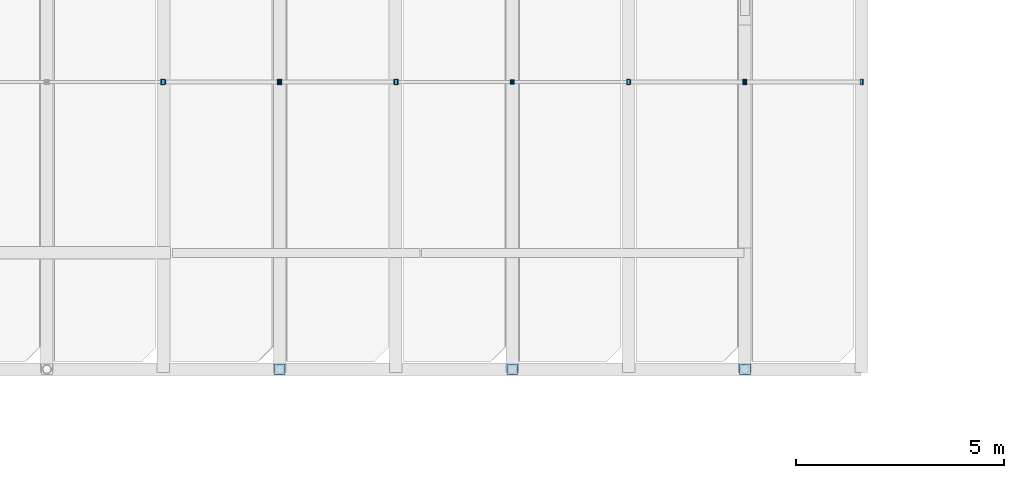
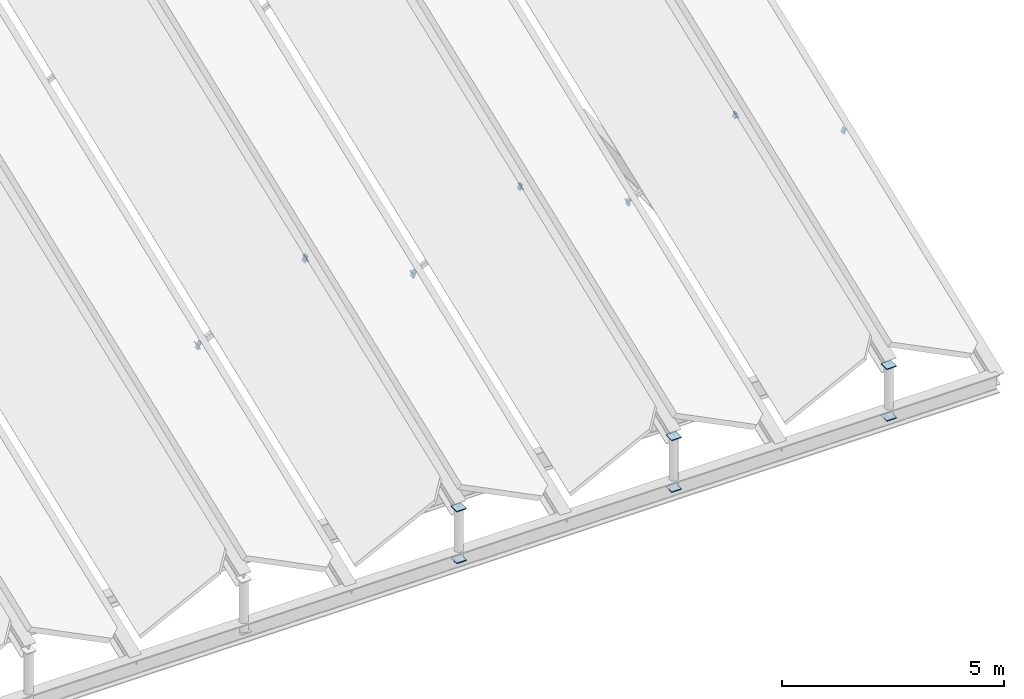
# One storey, part 32 of 49: 19 plates.
"""IFC4 building model written with IfcOpenShell, lengths in metres."""

from ifc_helpers import new_model, si_unit, direction, frame, origin, origin_2d, place, context, subcontext, project, spatial, rectangle, extrude, material, material_profile, profile_set, type_object, element, save


model = new_model("IFC4")

# Units and contexts
model_context = context("Model", 3, precision=1e-05, world=origin(), true_north=direction((0.0, 1.0)))
body_context = subcontext(model_context, "Body", "Model", "MODEL_VIEW")
ifc_project = project(units=[si_unit("LENGTHUNIT", "METRE"), si_unit("AREAUNIT", "SQUARE_METRE"), si_unit("VOLUMEUNIT", "CUBIC_METRE"), si_unit("PLANEANGLEUNIT", "RADIAN"), si_unit("MASSUNIT", "GRAM", prefix="KILO")], contexts=[model_context])

# Site, building, storey
site_placement = place(None, origin())
site = spatial("IfcSite", under=ifc_project, at=site_placement, CompositionType="ELEMENT")
building_placement = place(site_placement, origin())
building = spatial("IfcBuilding", under=site, at=building_placement, Name="Vinh Khe Railworks Police Headquarters", CompositionType="ELEMENT")
storey_placement = place(building_placement, frame((0.0, 0.0, 17.10009765625)))
storey = spatial("IfcBuildingStorey", under=building, at=storey_placement, Name="L04", CompositionType="ELEMENT", Elevation=17.10009765625)

# Plates
ifc_material = material(Name="Steel S355JR", Category="steel")
ifc_material_profile_1 = material_profile(ifc_material, rectangle(XDim=0.1201171875, YDim=0.159912109375, at=origin_2d()), Name="PL 120x160")
ifc_profile_set_1 = profile_set([ifc_material_profile_1], Name="Steel S355JR")
plate_type_1 = type_object("IfcPlateType", Name="Steel End-Cap Plate 120x160x24", PredefinedType="SHEET", material=ifc_profile_set_1)
for number, where, z_axis, x_axis, name in (
    (1, (51.60009765625, 29.31396484375, 2.499755859375), (-0.894427191, 0.0, -0.4472135955), (0.0, -1.0, 0.0), "End-Cap Gusset Plate PLT-EP-0512"),
    (2, (54.39990234375, 29.31396484375, 3.899658203125), (-0.894427191, 0.0, 0.4472135955), (0.0, -1.0, 0.0), "End-Cap Gusset Plate PLT-EP-0530"),
    (3, (54.39990234375, 29.31396484375, 3.899658203125), (0.894427191, 0.0, 0.4472135955), (0.0, 1.0, 0.0), "End-Cap Gusset Plate PLT-EP-0531"),
    (4, (57.199951171875, 29.31396484375, 2.499755859375), (0.894427191, 0.0, -0.4472135955), (0.0, 1.0, 0.0), "End-Cap Gusset Plate PLT-EP-0543"),
):
    element("IfcPlate", number, at=place(storey_placement, frame(where, z_axis=z_axis, x_axis=x_axis)), inside=storey, type_object=plate_type_1, Name=name, PredefinedType="SHEET", context=body_context, shape_type="SweptSolid", body=[
        extrude(rectangle(XDim=0.1201171875, YDim=0.159912109375, at=origin_2d()), origin(), (0.0, 0.0, 1.0), 0.02392578125),
    ])
ifc_material_profile_2 = material_profile(ifc_material, rectangle(XDim=0.1201171875, YDim=0.199951171875, at=origin_2d()), Name="PL 120x200")
ifc_profile_set_2 = profile_set([ifc_material_profile_2], Name="Steel S355JR")
plate_type_2 = type_object("IfcPlateType", Name="Steel End-Cap Plate 120x200x24", PredefinedType="SHEET", material=ifc_profile_set_2)
plate_1_placement = place(storey_placement, frame((46.0, 29.31396484375, 2.479736328125), z_axis=(0.894427191, 0.0, -0.4472135955), x_axis=(0.0, 1.0, 0.0)))
element("IfcPlate", 5, at=plate_1_placement, inside=storey, type_object=plate_type_2, Name="End-Cap Gusset Plate PLT-EP-0442", PredefinedType="SHEET", context=body_context, shape_type="SweptSolid", body=[
    extrude(rectangle(XDim=0.1201171875, YDim=0.199951171875, at=origin_2d()), origin(), (0.0, 0.0, 1.0), 0.02392578125),
])
ifc_material_profile_3 = material_profile(ifc_material, rectangle(XDim=0.139892578125, YDim=0.139892578125, at=origin_2d()), Name="PL 140x140")
ifc_profile_set_3 = profile_set([ifc_material_profile_3], Name="Steel S355JR")
plate_type_3 = type_object("IfcPlateType", Name="Steel End-Cap Plate 140x140x24", PredefinedType="SHEET", material=ifc_profile_set_3)
for number, where, z_axis, x_axis, name in (
    (6, (57.199951171875, 29.31396484375, 2.509765625), (-0.894427191, 0.0, -0.4472135955), (0.0, -1.0, 0.0), "End-Cap Gusset Plate PLT-EP-0542"),
    (7, (60.0, 29.31396484375, 3.90966796875), (-0.894427191, 0.0, 0.4472135955), (0.0, -1.0, 0.0), "End-Cap Gusset Plate PLT-EP-0560"),
    (8, (60.0, 29.31396484375, 3.90966796875), (0.894427191, 0.0, 0.4472135955), (0.0, 1.0, 0.0), "End-Cap Gusset Plate PLT-EP-0561"),
    (9, (62.800048828125, 29.31396484375, 2.509765625), (0.894427191, 0.0, -0.4472135955), (0.0, 1.0, 0.0), "End-Cap Gusset Plate PLT-EP-0597"),
):
    element("IfcPlate", number, at=place(storey_placement, frame(where, z_axis=z_axis, x_axis=x_axis)), inside=storey, type_object=plate_type_3, Name=name, PredefinedType="SHEET", context=body_context, shape_type="SweptSolid", body=[
        extrude(rectangle(XDim=0.139892578125, YDim=0.139892578125, at=origin_2d()), origin(), (0.0, 0.0, 1.0), 0.02392578125),
    ])
ifc_material_profile_4 = material_profile(ifc_material, rectangle(XDim=0.139892578125, YDim=0.18994140625, at=origin_2d()), Name="PL 140x190")
ifc_profile_set_4 = profile_set([ifc_material_profile_4], Name="Steel S355JR")
plate_type_4 = type_object("IfcPlateType", Name="Steel End-Cap Plate 140x190x24", PredefinedType="SHEET", material=ifc_profile_set_4)
for number, where, z_axis, x_axis, name in (
    (10, (46.0, 29.31396484375, 2.484619140625), (-0.894427191, 0.0, -0.4472135955), (0.0, -1.0, 0.0), "End-Cap Gusset Plate PLT-EP-0443"),
    (11, (48.800048828125, 29.31396484375, 3.884765625), (-0.894427191, 0.0, 0.4472135955), (0.0, -1.0, 0.0), "End-Cap Gusset Plate PLT-EP-0468"),
    (12, (48.800048828125, 29.31396484375, 3.884765625), (0.894427191, 0.0, 0.4472135955), (0.0, 1.0, 0.0), "End-Cap Gusset Plate PLT-EP-0469"),
    (13, (51.60009765625, 29.31396484375, 2.484619140625), (0.894427191, 0.0, -0.4472135955), (0.0, 1.0, 0.0), "End-Cap Gusset Plate PLT-EP-0513"),
):
    element("IfcPlate", number, at=place(storey_placement, frame(where, z_axis=z_axis, x_axis=x_axis)), inside=storey, type_object=plate_type_4, Name=name, PredefinedType="SHEET", context=body_context, shape_type="SweptSolid", body=[
        extrude(rectangle(XDim=0.139892578125, YDim=0.18994140625, at=origin_2d()), origin(), (0.0, 0.0, 1.0), 0.02392578125),
    ])
ifc_material_profile_5 = material_profile(ifc_material, rectangle(XDim=0.259033203125, YDim=0.259033203125, at=origin_2d()), Name="PL 259x259")
ifc_profile_set_5 = profile_set([ifc_material_profile_5], Name="Steel S355JR")
plate_type_5 = type_object("IfcPlateType", Name="Steel End-Cap Plate 259x259x24", PredefinedType="SHEET", material=ifc_profile_set_5)
plate_2_placement = place(storey_placement, frame((48.800048828125, 22.39990234375, -0.191162109375), z_axis=(0.0, 0.0, -1.0), x_axis=(1.0, 0.0, 0.0)))
element("IfcPlate", 14, at=plate_2_placement, inside=storey, type_object=plate_type_5, Name="End-Cap Gusset Plate PLT-EP-0466", PredefinedType="SHEET", context=body_context, shape_type="SweptSolid", body=[
    extrude(rectangle(XDim=0.259033203125, YDim=0.259033203125, at=origin_2d()), origin(), (0.0, 0.0, 1.0), 0.024169921875),
])
plate_3_placement = place(storey_placement, frame((48.800048828125, 22.39990234375, 1.208740234375), z_axis=(0.0, 0.0, 1.0), x_axis=(1.0, 0.0, 0.0)))
element("IfcPlate", 15, at=plate_3_placement, inside=storey, type_object=plate_type_5, Name="End-Cap Gusset Plate PLT-EP-0467", PredefinedType="SHEET", context=body_context, shape_type="SweptSolid", body=[
    extrude(rectangle(XDim=0.259033203125, YDim=0.259033203125, at=origin_2d()), origin(), (0.0, 0.0, 1.0), 0.02392578125),
])
plate_4_placement = place(storey_placement, frame((54.39990234375, 22.39990234375, -0.191162109375), z_axis=(0.0, 0.0, -1.0), x_axis=(1.0, 0.0, 0.0)))
element("IfcPlate", 16, at=plate_4_placement, inside=storey, type_object=plate_type_5, Name="End-Cap Gusset Plate PLT-EP-0528", PredefinedType="SHEET", context=body_context, shape_type="SweptSolid", body=[
    extrude(rectangle(XDim=0.259033203125, YDim=0.259033203125, at=origin_2d()), origin(), (0.0, 0.0, 1.0), 0.024169921875),
])
plate_5_placement = place(storey_placement, frame((54.39990234375, 22.39990234375, 1.208740234375), z_axis=(0.0, 0.0, 1.0), x_axis=(1.0, 0.0, 0.0)))
element("IfcPlate", 17, at=plate_5_placement, inside=storey, type_object=plate_type_5, Name="End-Cap Gusset Plate PLT-EP-0529", PredefinedType="SHEET", context=body_context, shape_type="SweptSolid", body=[
    extrude(rectangle(XDim=0.259033203125, YDim=0.259033203125, at=origin_2d()), origin(), (0.0, 0.0, 1.0), 0.02392578125),
])
plate_6_placement = place(storey_placement, frame((60.0, 22.39990234375, -0.191162109375), z_axis=(0.0, 0.0, -1.0), x_axis=(1.0, 0.0, 0.0)))
element("IfcPlate", 18, at=plate_6_placement, inside=storey, type_object=plate_type_5, Name="End-Cap Gusset Plate PLT-EP-0557", PredefinedType="SHEET", context=body_context, shape_type="SweptSolid", body=[
    extrude(rectangle(XDim=0.259033203125, YDim=0.259033203125, at=origin_2d()), origin(), (0.0, 0.0, 1.0), 0.024169921875),
])
plate_7_placement = place(storey_placement, frame((60.0, 22.39990234375, 1.208740234375), z_axis=(0.0, 0.0, 1.0), x_axis=(1.0, 0.0, 0.0)))
element("IfcPlate", 19, at=plate_7_placement, inside=storey, type_object=plate_type_5, Name="End-Cap Gusset Plate PLT-EP-0559", PredefinedType="SHEET", context=body_context, shape_type="SweptSolid", body=[
    extrude(rectangle(XDim=0.259033203125, YDim=0.259033203125, at=origin_2d()), origin(), (0.0, 0.0, 1.0), 0.02392578125),
])

save(model, "model.ifc")
